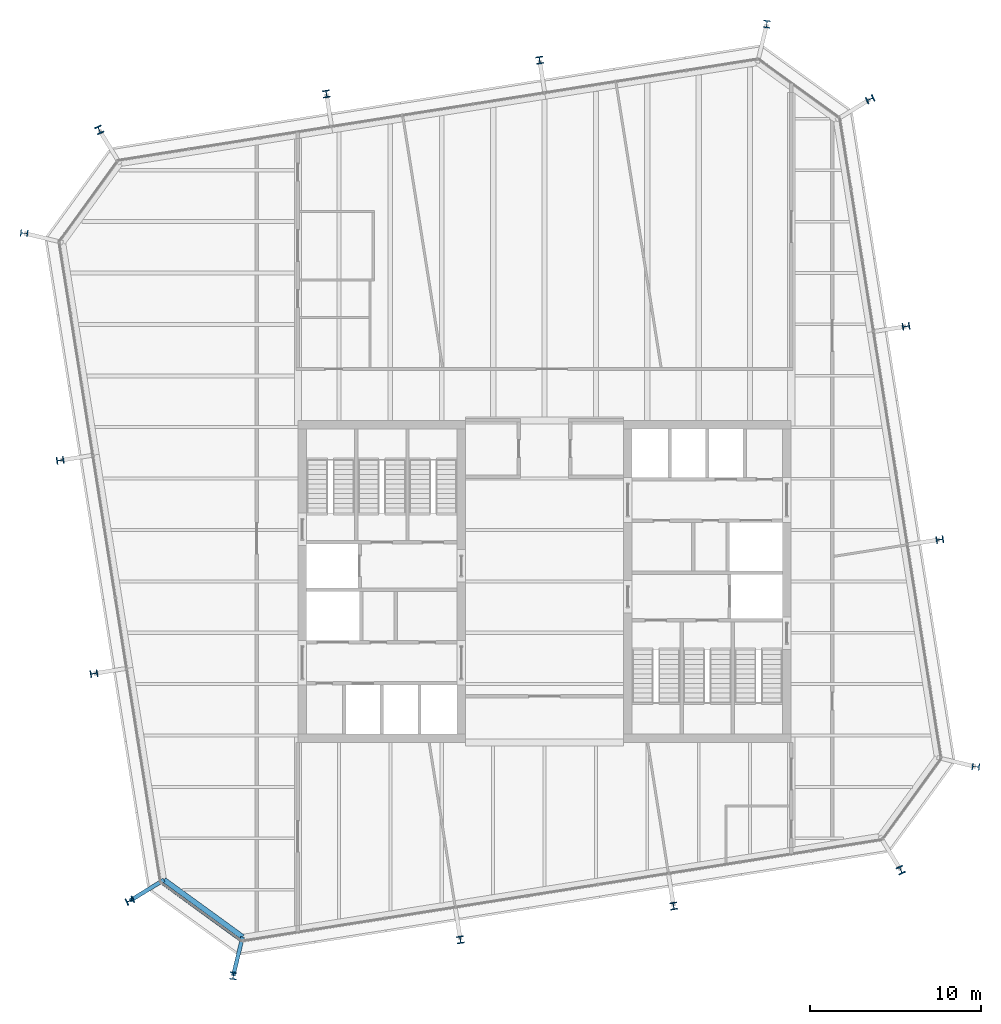
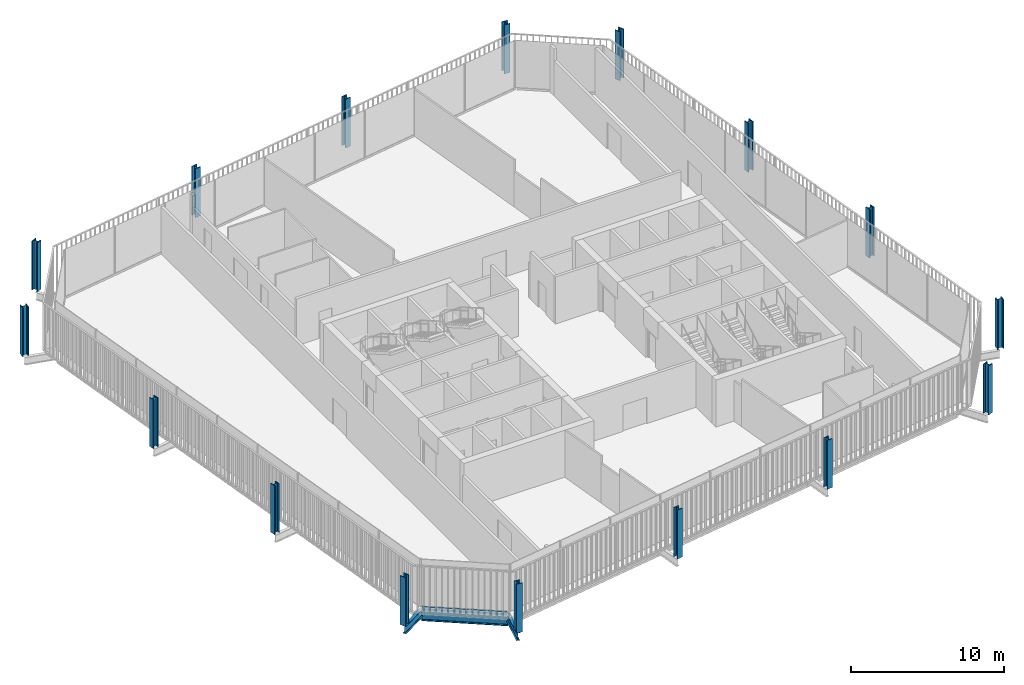
# One storey, part 1 of 20: 16 columns, 3 beams, 1 member, 1 element without a shape of its own.
"""IFC4 building model written with IfcOpenShell, lengths in metres."""

from ifc_helpers import new_model, si_unit, direction, frame, origin, origin_2d, place, context, subcontext, project, spatial, rectangle, i_section, extrude, material, layer, layer_set, material_profile, profile_set, type_object, element, aggregate, save


model = new_model("IFC4")

# Units and contexts
model_context = context("Model", 3, precision=1e-05, world=origin(), true_north=direction((0.0, 1.0)))
body_context = subcontext(model_context, "Body", "Model", "MODEL_VIEW")
ifc_project = project(units=[si_unit("LENGTHUNIT", "METRE"), si_unit("AREAUNIT", "SQUARE_METRE"), si_unit("VOLUMEUNIT", "CUBIC_METRE"), si_unit("PLANEANGLEUNIT", "RADIAN"), si_unit("MASSUNIT", "GRAM", prefix="KILO")], contexts=[model_context])

# Site, building, storey
site_placement = place(None, origin())
site = spatial("IfcSite", under=ifc_project, at=site_placement, CompositionType="ELEMENT")
building_placement = place(site_placement, origin())
building = spatial("IfcBuilding", under=site, at=building_placement, Name="Millrace Tower", CompositionType="ELEMENT")
storey_placement = place(building_placement, frame((0.0, 0.0, 232.0)))
storey = spatial("IfcBuildingStorey", under=building, at=storey_placement, Name="L53", CompositionType="ELEMENT", Elevation=232.0)

# Columns
ifc_material_1 = material(Name="Steel ASTM A913 Grade 65", Category="steel")
ifc_material_profile_1 = material_profile(ifc_material_1, i_section(OverallWidth=0.408935546875, OverallDepth=0.424072265625, WebThickness=0.03271484375, FlangeThickness=0.052490234375, FilletRadius=0.01513671875, at=origin_2d()))
ifc_profile_set_1 = profile_set([ifc_material_profile_1], Name="Steel ASTM A913 Grade 65")
column_type_1 = type_object("IfcColumnType", Name="Exoskeleton column W14x283", PredefinedType="COLUMN", material=ifc_profile_set_1)
for number, where, z_axis, x_axis, name in (
    (1, (-4.91162109375, -20.927734375, 0.0), (0.0, 0.0, 1.0), (0.987688341035, 0.156434462265, 0.0), "COL-D-L53-X03"),
    (2, (7.533203125, -18.956787109375, 0.0), (0.0, 0.0, 1.0), (0.987688341035, 0.156434462265, 0.0), "COL-D-L53-X04"),
    (3, (23.07763671875, 2.4384765625, 0.0), (0.0, 0.0, 1.0), (-0.156434462265, 0.987688341035, 0.0), "COL-D-L53-X07"),
    (4, (21.106689453125, 14.88330078125, 0.0), (0.0, 0.0, 1.0), (-0.156434462265, 0.987688341035, 0.0), "COL-D-L53-X08"),
    (5, (-0.288330078125, 30.427734375, 0.0), (0.0, 0.0, 1.0), (-0.987688341035, -0.156434462265, 0.0), "COL-D-L53-X11"),
    (6, (-12.7333984375, 28.456787109375, 0.0), (0.0, 0.0, 1.0), (-0.987688341035, -0.156434462265, 0.0), "COL-D-L53-X12"),
    (7, (-28.27783203125, 7.0615234375, 0.0), (0.0, 0.0, 1.0), (0.156434462265, -0.987688341035, 0.0), "COL-D-L53-X15"),
    (8, (-26.306640625, -5.38330078125, 0.0), (0.0, 0.0, 1.0), (0.156434462265, -0.987688341035, 0.0), "COL-D-L53-X16"),
):
    element("IfcColumn", number, at=place(storey_placement, frame(where, z_axis=z_axis, x_axis=x_axis)), inside=storey, type_object=column_type_1, Name=name, PredefinedType="COLUMN", context=body_context, shape_type="SweptSolid", body=[
        extrude(i_section(OverallWidth=0.408935546875, OverallDepth=0.424072265625, WebThickness=0.03271484375, FlangeThickness=0.052490234375, FilletRadius=0.01513671875, at=origin_2d()), origin(), (0.0, 0.0, 1.0), 3.89990234375),
    ])
ifc_material_2 = material(Name="Steel ASTM A913 Grade 65", Category="steel")
ifc_material_profile_2 = material_profile(ifc_material_2, i_section(OverallWidth=0.41650390625, OverallDepth=0.444580078125, WebThickness=0.0390625, FlangeThickness=0.062744140625, FilletRadius=0.01513671875, at=origin_2d()))
ifc_profile_set_2 = profile_set([ifc_material_profile_2], Name="Steel ASTM A913 Grade 65")
column_type_2 = type_object("IfcColumnType", Name="Exoskeleton column W14x342", PredefinedType="COLUMN", material=ifc_profile_set_2)
for number, where, z_axis, x_axis, name in (
    (9, (-24.2060546875, -18.646484375, 0.0), (0.0, 0.0, 1.0), (0.418552981224, -0.908192381552, 0.0), "COL-D-L53-X01"),
    (10, (-18.174560546875, -23.0283203125, 0.0), (0.0, 0.0, 1.0), (0.993082267365, -0.117420655103, 0.0), "COL-D-L53-X02"),
    (11, (20.79638671875, -16.85595703125, 0.0), (0.0, 0.0, 1.0), (0.908192381552, 0.418552981224, 0.0), "COL-D-L53-X05"),
    (12, (25.178466796875, -10.82470703125, 0.0), (0.0, 0.0, 1.0), (0.117420655103, 0.993082267365, 0.0), "COL-D-L53-X06"),
    (13, (19.006103515625, 28.146484375, 0.0), (0.0, 0.0, 1.0), (-0.418552981224, 0.908192381552, 0.0), "COL-D-L53-X09"),
    (14, (12.974609375, 32.5283203125, 0.0), (0.0, 0.0, 1.0), (-0.993082267365, 0.117420655103, 0.0), "COL-D-L53-X10"),
    (15, (-25.996337890625, 26.35595703125, 0.0), (0.0, 0.0, 1.0), (-0.908192381552, -0.418552981224, 0.0), "COL-D-L53-X13"),
    (16, (-30.37841796875, 20.32470703125, 0.0), (0.0, 0.0, 1.0), (-0.117420655103, -0.993082267365, 0.0), "COL-D-L53-X14"),
):
    element("IfcColumn", number, at=place(storey_placement, frame(where, z_axis=z_axis, x_axis=x_axis)), inside=storey, type_object=column_type_2, Name=name, PredefinedType="COLUMN", context=body_context, shape_type="SweptSolid", body=[
        extrude(i_section(OverallWidth=0.41650390625, OverallDepth=0.444580078125, WebThickness=0.0390625, FlangeThickness=0.062744140625, FilletRadius=0.01513671875, at=origin_2d()), origin(), (0.0, 0.0, 1.0), 3.89990234375),
    ])

# Curtain wall, member
ifc_material_3 = material(Name="Aluminium and glass", Category="aluminium")
ifc_layer = layer(ifc_material_3, 0.14990234375)
ifc_layer_set = layer_set([ifc_layer], Name="Aluminium and glass")
curtain_wall_type = type_object("IfcCurtainWallType", Name="CW-1 office vision curtain wall", PredefinedType="NOTDEFINED", material=ifc_layer_set)
curtain_wall_placement = place(storey_placement, origin())
curtain_wall = element("IfcCurtainWall", 17, at=curtain_wall_placement, inside=storey, type_object=curtain_wall_type, Name="Curtain wall D-F01 L53", PredefinedType="NOTDEFINED")
ifc_material_4 = material(Name="Aluminium", Category="aluminium")
ifc_material_profile_3 = material_profile(ifc_material_4, rectangle(XDim=0.14990234375, YDim=0.139892578125, at=origin_2d()))
ifc_profile_set_3 = profile_set([ifc_material_profile_3], Name="Aluminium")
member_type = type_object("IfcMemberType", Name="CW-1 office vision curtain wall transom", PredefinedType="USERDEFINED", material=ifc_profile_set_3)
member_placement = place(storey_placement, frame((-22.323486328125, -17.634765625, 0.070068359375), z_axis=(0.809033935994, -0.587761933448, 0.0), x_axis=(0.587761933448, 0.809033935994, 0.0)))
member = element("IfcMember", 18, at=member_placement, type_object=member_type, Name="CW1 transom D-F01.1", ObjectType="TRANSOM", PredefinedType="USERDEFINED", context=body_context, shape_type="SweptSolid", body=[
    extrude(rectangle(XDim=0.14990234375, YDim=0.139892578125, at=origin_2d()), origin(), (0.0, 0.0, 1.0), 5.598388671875),
])
aggregate(curtain_wall, [member])

# Beams
ifc_material_5 = material(Name="Steel ASTM A992 Grade 50", Category="steel")
ifc_material_profile_4 = material_profile(ifc_material_5, i_section(OverallWidth=0.23046875, OverallDepth=0.6171875, WebThickness=0.01318359375, FlangeThickness=0.022216796875, FilletRadius=0.012939453125, at=origin_2d()))
ifc_profile_set_4 = profile_set([ifc_material_profile_4], Name="Steel ASTM A992 Grade 50")
beam_type_1 = type_object("IfcBeamType", Name="Link beam W24x94", PredefinedType="BEAM", material=ifc_profile_set_4)
for number, where, z_axis, x_axis, name in (
    (19, (-22.218505859375, -17.428466796875, -0.468505859375), (-0.852631355792, -0.522512938711, 0.0), (0.522512938711, -0.852631355792, 0.0), "LNK-D-L53-S1-01"),
    (20, (-17.63037109375, -20.76171875, -0.468505859375), (-0.233456138164, -0.972367333652, 0.0), (0.972367333652, -0.233456138164, 0.0), "LNK-D-L53-S1-16"),
):
    element("IfcBeam", number, at=place(storey_placement, frame(where, z_axis=z_axis, x_axis=x_axis)), inside=storey, type_object=beam_type_1, Name=name, PredefinedType="BEAM", context=body_context, shape_type="SweptSolid", body=[
        extrude(i_section(OverallWidth=0.23046875, OverallDepth=0.6171875, WebThickness=0.01318359375, FlangeThickness=0.022216796875, FilletRadius=0.012939453125, at=origin_2d()), origin(), (0.0, 0.0, 1.0), 2.3310546875),
    ])
ifc_material_6 = material(Name="Steel ASTM A992 Grade 50", Category="steel")
ifc_material_profile_5 = material_profile(ifc_material_6, i_section(OverallWidth=0.307373046875, OverallDepth=0.927001953125, WebThickness=0.01953125, FlangeThickness=0.031982421875, FilletRadius=0.01904296875, at=origin_2d()))
ifc_profile_set_5 = profile_set([ifc_material_profile_5], Name="Steel ASTM A992 Grade 50")
beam_type_2 = type_object("IfcBeamType", Name="Ring beam short span W36x194", PredefinedType="SPANDREL", material=ifc_profile_set_5)
beam_placement = place(storey_placement, frame((-17.63037109375, -20.76171875, -0.62353515625), z_axis=(-0.809035699289, 0.587759506326, 0.0), x_axis=(-0.587759506326, -0.809035699289, 0.0)))
element("IfcBeam", 21, at=beam_placement, inside=storey, type_object=beam_type_2, Name="RNG-D-L53-S1-16", PredefinedType="SPANDREL", context=body_context, shape_type="SweptSolid", body=[
    extrude(i_section(OverallWidth=0.307373046875, OverallDepth=0.927001953125, WebThickness=0.01953125, FlangeThickness=0.031982421875, FilletRadius=0.01904296875, at=origin_2d()), origin(), (0.0, 0.0, 1.0), 5.671142578125),
])

save(model, "model.ifc")
